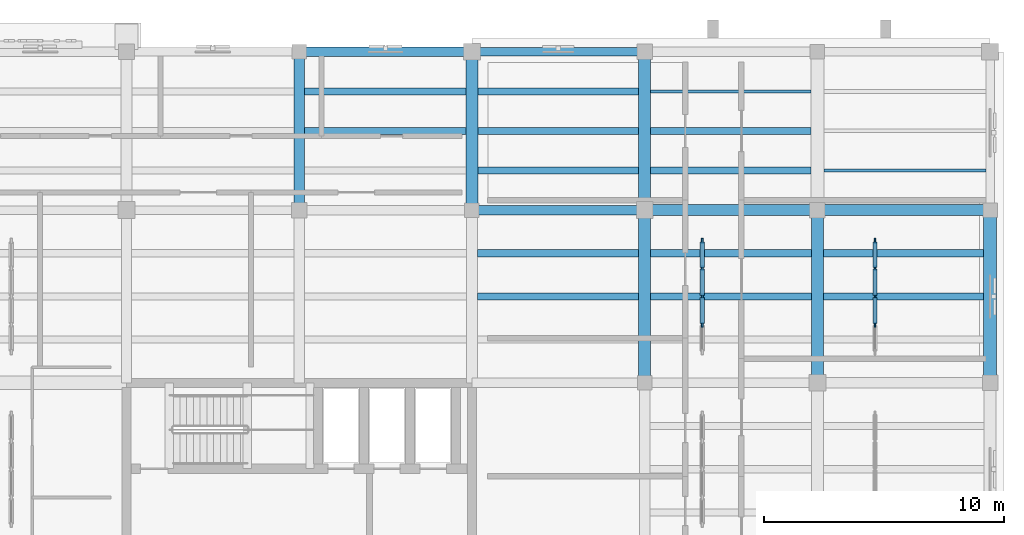
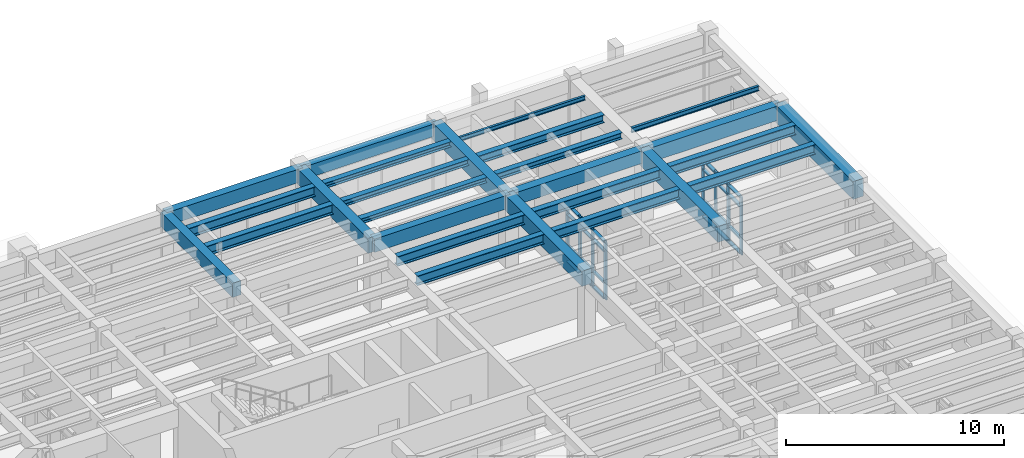
# One storey, part 22 of 66: 32 members, 26 beams, 2 elements without a shape of their own.
"""IFC4 building model written with IfcOpenShell, lengths in metres."""

from ifc_helpers import new_model, si_unit, direction, frame, origin, origin_2d, place, context, subcontext, project, spatial, rectangle, i_section, extrude, material, material_profile, profile_set, type_object, element, aggregate, save


model = new_model("IFC4")

# Units and contexts
model_context = context("Model", 3, precision=1e-05, world=origin(), true_north=direction((0.0, 1.0)))
body_context = subcontext(model_context, "Body", "Model", "MODEL_VIEW")
ifc_project = project(units=[si_unit("LENGTHUNIT", "METRE"), si_unit("AREAUNIT", "SQUARE_METRE"), si_unit("VOLUMEUNIT", "CUBIC_METRE"), si_unit("PLANEANGLEUNIT", "RADIAN"), si_unit("MASSUNIT", "GRAM", prefix="KILO")], contexts=[model_context])

# Site, building, storey
site_placement = place(None, origin())
site = spatial("IfcSite", under=ifc_project, at=site_placement, CompositionType="ELEMENT")
building_placement = place(site_placement, origin())
building = spatial("IfcBuilding", under=site, at=building_placement, Name="Mithqara Police Headquarters", CompositionType="ELEMENT")
storey_placement = place(building_placement, frame((0.0, 0.0, 9.60009765625)))
storey = spatial("IfcBuildingStorey", under=building, at=storey_placement, Name="L02", CompositionType="ELEMENT", Elevation=9.60009765625)

# Beams
ifc_material_1 = material(Name="Steel S355JR", Category="steel")
ifc_material_profile_1 = material_profile(ifc_material_1, i_section(OverallWidth=0.300048828125, OverallDepth=0.300048828125, WebThickness=0.010986328125, FlangeThickness=0.01904296875, FilletRadius=0.027099609375, at=origin_2d()), Name="HEB 300")
ifc_profile_set_1 = profile_set([ifc_material_profile_1], Name="Steel S355JR")
beam_type_1 = type_object("IfcBeamType", Name="BEAM HEB300", PredefinedType="BEAM", material=ifc_profile_set_1)
beam_1_placement = place(storey_placement, frame((144.85009765625, 112.35009765625, 3.789794921875), z_axis=(1.0, 0.0, 0.0), x_axis=(0.0, 1.0, 0.0)))
element("IfcBeam", 1, at=beam_1_placement, inside=storey, type_object=beam_type_1, Name="L02 Composite Steel Joist 21-22/R.3", PredefinedType="BEAM", context=body_context, shape_type="SweptSolid", body=[
    extrude(i_section(OverallWidth=0.300048828125, OverallDepth=0.300048828125, WebThickness=0.010986328125, FlangeThickness=0.01904296875, FilletRadius=0.027099609375, at=origin_2d()), origin(), (0.0, 0.0, 1.0), 6.699951171875),
])
ifc_material_profile_2 = material_profile(ifc_material_1, i_section(OverallWidth=0.300048828125, OverallDepth=0.360107421875, WebThickness=0.012451171875, FlangeThickness=0.0224609375, FilletRadius=0.027099609375, at=origin_2d()), Name="HEB 360")
ifc_profile_set_2 = profile_set([ifc_material_profile_2], Name="Steel S355JR")
beam_type_2 = type_object("IfcBeamType", Name="BEAM HEB360", PredefinedType="BEAM", material=ifc_profile_set_2)
beam_2_placement = place(storey_placement, frame((152.050048828125, 109.050048828125, 3.760009765625), z_axis=(1.0, 0.0, 0.0), x_axis=(0.0, 1.0, 0.0)))
element("IfcBeam", 2, at=beam_2_placement, inside=storey, type_object=beam_type_2, Name="L02 Composite Steel Joist 22-23/R.1", PredefinedType="BEAM", context=body_context, shape_type="SweptSolid", body=[
    extrude(i_section(OverallWidth=0.300048828125, OverallDepth=0.360107421875, WebThickness=0.012451171875, FlangeThickness=0.0224609375, FilletRadius=0.027099609375, at=origin_2d()), origin(), (0.0, 0.0, 1.0), 6.675048828125),
])
ifc_material_profile_3 = material_profile(ifc_material_1, i_section(OverallWidth=0.300048828125, OverallDepth=0.449951171875, WebThickness=0.013916015625, FlangeThickness=0.02587890625, FilletRadius=0.027099609375, at=origin_2d()), Name="HEB 450")
ifc_profile_set_3 = profile_set([ifc_material_profile_3], Name="Steel S355JR")
beam_type_3 = type_object("IfcBeamType", Name="BEAM HEB450", PredefinedType="BEAM", material=ifc_profile_set_3)
beam_3_placement = place(storey_placement, frame((152.050048828125, 110.699951171875, 3.71484375), z_axis=(1.0, 0.0, 0.0), x_axis=(0.0, 1.0, 0.0)))
element("IfcBeam", 3, at=beam_3_placement, inside=storey, type_object=beam_type_3, Name="L02 Composite Steel Joist 22-23/R.2", PredefinedType="BEAM", context=body_context, shape_type="SweptSolid", body=[
    extrude(i_section(OverallWidth=0.300048828125, OverallDepth=0.449951171875, WebThickness=0.013916015625, FlangeThickness=0.02587890625, FilletRadius=0.027099609375, at=origin_2d()), origin(), (0.0, 0.0, 1.0), 6.675048828125),
])
ifc_material_profile_4 = material_profile(ifc_material_1, i_section(OverallWidth=0.300048828125, OverallDepth=0.550048828125, WebThickness=0.014892578125, FlangeThickness=0.029052734375, FilletRadius=0.027099609375, at=origin_2d()), Name="HEB 550")
ifc_profile_set_4 = profile_set([ifc_material_profile_4], Name="Steel S355JR")
beam_type_4 = type_object("IfcBeamType", Name="BEAM HEB550", PredefinedType="BEAM", material=ifc_profile_set_4)
for number, where, z_axis, x_axis, name in (
    (4, (137.625, 110.699951171875, 3.664794921875), (1.0, 0.0, 0.0), (0.0, 1.0, 0.0), "L02 Composite Steel Joist 20-21/R.2"),
    (5, (137.625, 112.35009765625, 3.664794921875), (1.0, 0.0, 0.0), (0.0, 1.0, 0.0), "L02 Composite Steel Joist 20-21/R.3"),
    (6, (144.824951171875, 103.800048828125, 3.664794921875), (1.0, 0.0, 0.0), (0.0, 1.0, 0.0), "L02 Composite Steel Joist 21-22/Q.2"),
    (7, (144.824951171875, 105.60009765625, 3.664794921875), (1.0, 0.0, 0.0), (0.0, 1.0, 0.0), "L02 Composite Steel Joist 21-22/Q.3"),
):
    element("IfcBeam", number, at=place(storey_placement, frame(where, z_axis=z_axis, x_axis=x_axis)), inside=storey, type_object=beam_type_4, Name=name, PredefinedType="BEAM", context=body_context, shape_type="SweptSolid", body=[
        extrude(i_section(OverallWidth=0.300048828125, OverallDepth=0.550048828125, WebThickness=0.014892578125, FlangeThickness=0.029052734375, FilletRadius=0.027099609375, at=origin_2d()), origin(), (0.0, 0.0, 1.0), 6.72509765625),
    ])
for number, where, z_axis, x_axis, name in (
    (8, (152.050048828125, 103.800048828125, 3.664794921875), (1.0, 0.0, 0.0), (0.0, 1.0, 0.0), "L02 Composite Steel Joist 22-23/Q.2"),
    (9, (152.050048828125, 105.60009765625, 3.664794921875), (1.0, 0.0, 0.0), (0.0, 1.0, 0.0), "L02 Composite Steel Joist 22-23/Q.3"),
):
    element("IfcBeam", number, at=place(storey_placement, frame(where, z_axis=z_axis, x_axis=x_axis)), inside=storey, type_object=beam_type_4, Name=name, PredefinedType="BEAM", context=body_context, shape_type="SweptSolid", body=[
        extrude(i_section(OverallWidth=0.300048828125, OverallDepth=0.550048828125, WebThickness=0.014892578125, FlangeThickness=0.029052734375, FilletRadius=0.027099609375, at=origin_2d()), origin(), (0.0, 0.0, 1.0), 6.699951171875),
    ])
for number, where, z_axis, x_axis, name in (
    (10, (159.25, 103.800048828125, 3.664794921875), (1.0, 0.0, 0.0), (0.0, 1.0, 0.0), "L02 Composite Steel Joist 23-24/Q.2"),
    (11, (159.25, 105.60009765625, 3.664794921875), (1.0, 0.0, 0.0), (0.0, 1.0, 0.0), "L02 Composite Steel Joist 23-24/Q.3"),
):
    element("IfcBeam", number, at=place(storey_placement, frame(where, z_axis=z_axis, x_axis=x_axis)), inside=storey, type_object=beam_type_4, Name=name, PredefinedType="BEAM", context=body_context, shape_type="SweptSolid", body=[
        extrude(i_section(OverallWidth=0.300048828125, OverallDepth=0.550048828125, WebThickness=0.014892578125, FlangeThickness=0.029052734375, FilletRadius=0.027099609375, at=origin_2d()), origin(), (0.0, 0.0, 1.0), 6.675048828125),
    ])
ifc_material_2 = material(Name="Concrete C40/50", Category="concrete")
ifc_material_profile_5 = material_profile(ifc_material_2, rectangle(XDim=0.39990234375, YDim=0.75, at=origin_2d()), Name="RC 400x750")
ifc_profile_set_5 = profile_set([ifc_material_profile_5], Name="Concrete C40/50")
beam_type_5 = type_object("IfcBeamType", Name="BEAM RC400X750", PredefinedType="BEAM", material=ifc_profile_set_5)
beam_4_placement = place(storey_placement, frame((144.60009765625, 107.39990234375, 3.56494140625), z_axis=(1.0, 0.0, 0.0), x_axis=(0.0, 1.0, 0.0)))
element("IfcBeam", 12, at=beam_4_placement, inside=storey, type_object=beam_type_5, Name="L02 Girder 21-22/R", PredefinedType="BEAM", context=body_context, shape_type="SweptSolid", body=[
    extrude(rectangle(XDim=0.39990234375, YDim=0.75, at=origin_2d()), origin(), (0.0, 0.0, 1.0), 7.199951171875),
])
ifc_material_profile_6 = material_profile(ifc_material_2, rectangle(XDim=0.449951171875, YDim=0.699951171875, at=origin_2d()), Name="RC 450x700")
ifc_profile_set_6 = profile_set([ifc_material_profile_6], Name="Concrete C40/50")
beam_type_6 = type_object("IfcBeamType", Name="BEAM RC450X700", PredefinedType="BEAM", material=ifc_profile_set_6)
beam_5_placement = place(storey_placement, frame((151.800048828125, 107.39990234375, 3.58984375), z_axis=(1.0, 0.0, 0.0), x_axis=(0.0, 1.0, 0.0)))
element("IfcBeam", 13, at=beam_5_placement, inside=storey, type_object=beam_type_6, Name="L02 Girder 22-23/R", PredefinedType="BEAM", context=body_context, shape_type="SweptSolid", body=[
    extrude(rectangle(XDim=0.449951171875, YDim=0.699951171875, at=origin_2d()), origin(), (0.0, 0.0, 1.0), 7.199951171875),
])
ifc_material_profile_7 = material_profile(ifc_material_2, rectangle(XDim=0.449951171875, YDim=0.800048828125, at=origin_2d()), Name="RC 450x800")
ifc_profile_set_7 = profile_set([ifc_material_profile_7], Name="Concrete C40/50")
beam_type_7 = type_object("IfcBeamType", Name="BEAM RC450X800", PredefinedType="BEAM", material=ifc_profile_set_7)
beam_6_placement = place(storey_placement, frame((137.39990234375, 107.39990234375, 3.539794921875), z_axis=(0.0, 1.0, 0.0), x_axis=(-1.0, 0.0, 0.0)))
element("IfcBeam", 14, at=beam_6_placement, inside=storey, type_object=beam_type_7, Name="L02 Girder 20/R-S", PredefinedType="BEAM", context=body_context, shape_type="SweptSolid", body=[
    extrude(rectangle(XDim=0.449951171875, YDim=0.800048828125, at=origin_2d()), origin(), (0.0, 0.0, 1.0), 6.60009765625),
])
beam_7_placement = place(storey_placement, frame((159.0, 107.39990234375, 3.539794921875), z_axis=(1.0, 0.0, 0.0), x_axis=(0.0, 1.0, 0.0)))
element("IfcBeam", 15, at=beam_7_placement, inside=storey, type_object=beam_type_7, Name="L02 Girder 23-24/R", PredefinedType="BEAM", context=body_context, shape_type="SweptSolid", body=[
    extrude(rectangle(XDim=0.449951171875, YDim=0.800048828125, at=origin_2d()), origin(), (0.0, 0.0, 1.0), 7.199951171875),
])
ifc_material_profile_8 = material_profile(ifc_material_2, rectangle(XDim=0.5, YDim=0.85009765625, at=origin_2d()), Name="RC 500x850")
ifc_profile_set_8 = profile_set([ifc_material_profile_8], Name="Concrete C40/50")
beam_type_8 = type_object("IfcBeamType", Name="BEAM RC500X850", PredefinedType="BEAM", material=ifc_profile_set_8)
beam_8_placement = place(storey_placement, frame((144.60009765625, 107.39990234375, 3.514892578125), z_axis=(0.0, 1.0, 0.0), x_axis=(-1.0, 0.0, 0.0)))
element("IfcBeam", 16, at=beam_8_placement, inside=storey, type_object=beam_type_8, Name="L02 Girder 21/R-S", PredefinedType="BEAM", context=body_context, shape_type="SweptSolid", body=[
    extrude(rectangle(XDim=0.5, YDim=0.85009765625, at=origin_2d()), origin(), (0.0, 0.0, 1.0), 6.60009765625),
])
beam_9_placement = place(storey_placement, frame((151.800048828125, 100.199951171875, 3.514892578125), z_axis=(0.0, 1.0, 0.0), x_axis=(-1.0, 0.0, 0.0)))
element("IfcBeam", 17, at=beam_9_placement, inside=storey, type_object=beam_type_8, Name="L02 Girder 22/Q-R", PredefinedType="BEAM", context=body_context, shape_type="SweptSolid", body=[
    extrude(rectangle(XDim=0.5, YDim=0.85009765625, at=origin_2d()), origin(), (0.0, 0.0, 1.0), 7.199951171875),
])
ifc_material_3 = material(Name="Concrete C50/60", Category="concrete")
ifc_material_profile_9 = material_profile(ifc_material_3, rectangle(XDim=0.5, YDim=0.89990234375, at=origin_2d()), Name="RC 500x900")
ifc_profile_set_9 = profile_set([ifc_material_profile_9], Name="Concrete C50/60")
beam_type_9 = type_object("IfcBeamType", Name="BEAM RC500X900", PredefinedType="BEAM", material=ifc_profile_set_9)
beam_10_placement = place(storey_placement, frame((151.800048828125, 107.39990234375, 3.489990234375), z_axis=(0.0, 1.0, 0.0), x_axis=(-1.0, 0.0, 0.0)))
element("IfcBeam", 18, at=beam_10_placement, inside=storey, type_object=beam_type_9, Name="L02 Girder 22/R-S", PredefinedType="BEAM", context=body_context, shape_type="SweptSolid", body=[
    extrude(rectangle(XDim=0.5, YDim=0.89990234375, at=origin_2d()), origin(), (0.0, 0.0, 1.0), 6.60009765625),
])
beam_11_placement = place(storey_placement, frame((159.0, 100.199951171875, 3.489990234375), z_axis=(0.0, 1.0, 0.0), x_axis=(-1.0, 0.0, 0.0)))
element("IfcBeam", 19, at=beam_11_placement, inside=storey, type_object=beam_type_9, Name="L02 Girder 23/Q-R", PredefinedType="BEAM", context=body_context, shape_type="SweptSolid", body=[
    extrude(rectangle(XDim=0.5, YDim=0.89990234375, at=origin_2d()), origin(), (0.0, 0.0, 1.0), 7.199951171875),
])
ifc_material_profile_10 = material_profile(ifc_material_3, rectangle(XDim=0.550048828125, YDim=1.0, at=origin_2d()), Name="RC 550x1000")
ifc_profile_set_10 = profile_set([ifc_material_profile_10], Name="Concrete C50/60")
beam_type_10 = type_object("IfcBeamType", Name="BEAM RC550X1000", PredefinedType="BEAM", material=ifc_profile_set_10)
beam_12_placement = place(storey_placement, frame((166.199951171875, 100.199951171875, 3.43994140625), z_axis=(0.0, 1.0, 0.0), x_axis=(-1.0, 0.0, 0.0)))
element("IfcBeam", 20, at=beam_12_placement, inside=storey, type_object=beam_type_10, Name="L02 Girder 24/Q-R", PredefinedType="BEAM", context=body_context, shape_type="SweptSolid", body=[
    extrude(rectangle(XDim=0.550048828125, YDim=1.0, at=origin_2d()), origin(), (0.0, 0.0, 1.0), 7.199951171875),
])

# Curtain wall, members
ifc_material_4 = material(Name="Bronze anodised aluminium 6063-T6", Category="aluminium")
curtain_wall_type = type_object("IfcCurtainWallType", Name="CURTAIN WALL 4700X3220", PredefinedType="USERDEFINED", material=ifc_material_4)
curtain_wall_1_placement = place(storey_placement, origin())
curtain_wall_1 = element("IfcCurtainWall", 21, at=curtain_wall_1_placement, inside=storey, type_object=curtain_wall_type, Name="L02 Unitised Glazing CW-16 (CW-INT-L02-X21-Y14-0)", ObjectType="UNITISED GLAZING", PredefinedType="USERDEFINED")
ifc_material_profile_11 = material_profile(ifc_material_4, rectangle(XDim=0.074951171875, YDim=0.219970703125, at=origin_2d()), Name="CWM 75x220")
ifc_profile_set_11 = profile_set([ifc_material_profile_11], Name="Bronze anodised aluminium 6063-T6")
member_type_1 = type_object("IfcMemberType", Name="CWMULLION 75X220", PredefinedType="MULLION", material=ifc_profile_set_11)
member_1_placement = place(storey_placement, frame((154.199951171875, 102.625, 0.0), z_axis=(0.0, 0.0, 1.0), x_axis=(-1.0, 0.0, 0.0)))
member_1 = element("IfcMember", 22, at=member_1_placement, type_object=member_type_1, Name="CW-16 mullion 2", PredefinedType="MULLION", context=body_context, shape_type="SweptSolid", body=[
    extrude(rectangle(XDim=0.074951171875, YDim=0.219970703125, at=origin_2d()), origin(), (0.0, 0.0, 1.0), 3.219970703125),
])
member_2_placement = place(storey_placement, frame((154.199951171875, 103.800048828125, 0.0), z_axis=(0.0, 0.0, 1.0), x_axis=(-1.0, 0.0, 0.0)))
member_2 = element("IfcMember", 23, at=member_2_placement, type_object=member_type_1, Name="CW-16 mullion 3", PredefinedType="MULLION", context=body_context, shape_type="SweptSolid", body=[
    extrude(rectangle(XDim=0.074951171875, YDim=0.219970703125, at=origin_2d()), origin(), (0.0, 0.0, 1.0), 3.219970703125),
])
member_3_placement = place(storey_placement, frame((154.199951171875, 104.97509765625, 0.0), z_axis=(0.0, 0.0, 1.0), x_axis=(-1.0, 0.0, 0.0)))
member_3 = element("IfcMember", 24, at=member_3_placement, type_object=member_type_1, Name="CW-16 mullion 4", PredefinedType="MULLION", context=body_context, shape_type="SweptSolid", body=[
    extrude(rectangle(XDim=0.074951171875, YDim=0.219970703125, at=origin_2d()), origin(), (0.0, 0.0, 1.0), 3.219970703125),
])
member_4_placement = place(storey_placement, frame((154.199951171875, 106.112548828125, 0.0), z_axis=(0.0, 0.0, 1.0), x_axis=(-1.0, 0.0, 0.0)))
member_4 = element("IfcMember", 25, at=member_4_placement, type_object=member_type_1, Name="CW-16 mullion 5", PredefinedType="MULLION", context=body_context, shape_type="SweptSolid", body=[
    extrude(rectangle(XDim=0.074951171875, YDim=0.219970703125, at=origin_2d()), origin(), (0.0, 0.0, 1.0), 3.219970703125),
])

curtain_wall_2_placement = place(storey_placement, origin())
curtain_wall_2 = element("IfcCurtainWall", 26, at=curtain_wall_2_placement, inside=storey, type_object=curtain_wall_type, Name="L02 Unitised Glazing CW-16 (CW-INT-L02-X22-Y14-0)", ObjectType="UNITISED GLAZING", PredefinedType="USERDEFINED")
member_5_placement = place(storey_placement, frame((161.39990234375, 102.625, 0.0), z_axis=(0.0, 0.0, 1.0), x_axis=(-1.0, 0.0, 0.0)))
member_5 = element("IfcMember", 27, at=member_5_placement, type_object=member_type_1, Name="CW-16 mullion 2", PredefinedType="MULLION", context=body_context, shape_type="SweptSolid", body=[
    extrude(rectangle(XDim=0.074951171875, YDim=0.219970703125, at=origin_2d()), origin(), (0.0, 0.0, 1.0), 3.219970703125),
])
member_6_placement = place(storey_placement, frame((161.39990234375, 103.800048828125, 0.0), z_axis=(0.0, 0.0, 1.0), x_axis=(-1.0, 0.0, 0.0)))
member_6 = element("IfcMember", 28, at=member_6_placement, type_object=member_type_1, Name="CW-16 mullion 3", PredefinedType="MULLION", context=body_context, shape_type="SweptSolid", body=[
    extrude(rectangle(XDim=0.074951171875, YDim=0.219970703125, at=origin_2d()), origin(), (0.0, 0.0, 1.0), 3.219970703125),
])
member_7_placement = place(storey_placement, frame((161.39990234375, 104.97509765625, 0.0), z_axis=(0.0, 0.0, 1.0), x_axis=(-1.0, 0.0, 0.0)))
member_7 = element("IfcMember", 29, at=member_7_placement, type_object=member_type_1, Name="CW-16 mullion 4", PredefinedType="MULLION", context=body_context, shape_type="SweptSolid", body=[
    extrude(rectangle(XDim=0.074951171875, YDim=0.219970703125, at=origin_2d()), origin(), (0.0, 0.0, 1.0), 3.219970703125),
])
member_8_placement = place(storey_placement, frame((161.39990234375, 106.112548828125, 0.0), z_axis=(0.0, 0.0, 1.0), x_axis=(-1.0, 0.0, 0.0)))
member_8 = element("IfcMember", 30, at=member_8_placement, type_object=member_type_1, Name="CW-16 mullion 5", PredefinedType="MULLION", context=body_context, shape_type="SweptSolid", body=[
    extrude(rectangle(XDim=0.074951171875, YDim=0.219970703125, at=origin_2d()), origin(), (0.0, 0.0, 1.0), 3.219970703125),
])

# Member
ifc_material_profile_12 = material_profile(ifc_material_4, rectangle(XDim=0.179931640625, YDim=0.074951171875, at=origin_2d()), Name="CWT 180x75")
ifc_profile_set_12 = profile_set([ifc_material_profile_12], Name="Bronze anodised aluminium 6063-T6")
member_type_2 = type_object("IfcMemberType", Name="CWTRANSOM 180X75", PredefinedType="USERDEFINED", material=ifc_profile_set_12)
member_9_placement = place(storey_placement, frame((154.199951171875, 102.66259765625, 0.037353515625), z_axis=(0.0, 1.0, 0.0), x_axis=(-1.0, 0.0, 0.0)))
member_9 = element("IfcMember", 31, at=member_9_placement, type_object=member_type_2, Name="CW-16 transom 2.1", ObjectType="TRANSOM", PredefinedType="USERDEFINED", context=body_context, shape_type="SweptSolid", body=[
    extrude(rectangle(XDim=0.179931640625, YDim=0.074951171875, at=origin_2d()), origin(), (0.0, 0.0, 1.0), 1.099853515625),
])

member_10_placement = place(storey_placement, frame((154.199951171875, 102.66259765625, 0.89990234375), z_axis=(0.0, 1.0, 0.0), x_axis=(-1.0, 0.0, 0.0)))
member_10 = element("IfcMember", 32, at=member_10_placement, type_object=member_type_2, Name="CW-16 transom 2.2", ObjectType="TRANSOM", PredefinedType="USERDEFINED", context=body_context, shape_type="SweptSolid", body=[
    extrude(rectangle(XDim=0.179931640625, YDim=0.074951171875, at=origin_2d()), origin(), (0.0, 0.0, 1.0), 1.099853515625),
])

member_11_placement = place(storey_placement, frame((154.199951171875, 102.66259765625, 2.669921875), z_axis=(0.0, 1.0, 0.0), x_axis=(-1.0, 0.0, 0.0)))
member_11 = element("IfcMember", 33, at=member_11_placement, type_object=member_type_2, Name="CW-16 transom 2.3", ObjectType="TRANSOM", PredefinedType="USERDEFINED", context=body_context, shape_type="SweptSolid", body=[
    extrude(rectangle(XDim=0.179931640625, YDim=0.074951171875, at=origin_2d()), origin(), (0.0, 0.0, 1.0), 1.099853515625),
])

member_12_placement = place(storey_placement, frame((154.199951171875, 102.66259765625, 3.182373046875), z_axis=(0.0, 1.0, 0.0), x_axis=(-1.0, 0.0, 0.0)))
member_12 = element("IfcMember", 34, at=member_12_placement, type_object=member_type_2, Name="CW-16 transom 2.4", ObjectType="TRANSOM", PredefinedType="USERDEFINED", context=body_context, shape_type="SweptSolid", body=[
    extrude(rectangle(XDim=0.179931640625, YDim=0.074951171875, at=origin_2d()), origin(), (0.0, 0.0, 1.0), 1.099853515625),
])

member_13_placement = place(storey_placement, frame((154.199951171875, 103.83740234375, 0.037353515625), z_axis=(0.0, 1.0, 0.0), x_axis=(-1.0, 0.0, 0.0)))
member_13 = element("IfcMember", 35, at=member_13_placement, type_object=member_type_2, Name="CW-16 transom 3.1", ObjectType="TRANSOM", PredefinedType="USERDEFINED", context=body_context, shape_type="SweptSolid", body=[
    extrude(rectangle(XDim=0.179931640625, YDim=0.074951171875, at=origin_2d()), origin(), (0.0, 0.0, 1.0), 1.10009765625),
])

member_14_placement = place(storey_placement, frame((154.199951171875, 103.83740234375, 0.89990234375), z_axis=(0.0, 1.0, 0.0), x_axis=(-1.0, 0.0, 0.0)))
member_14 = element("IfcMember", 36, at=member_14_placement, type_object=member_type_2, Name="CW-16 transom 3.2", ObjectType="TRANSOM", PredefinedType="USERDEFINED", context=body_context, shape_type="SweptSolid", body=[
    extrude(rectangle(XDim=0.179931640625, YDim=0.074951171875, at=origin_2d()), origin(), (0.0, 0.0, 1.0), 1.10009765625),
])

member_15_placement = place(storey_placement, frame((154.199951171875, 103.83740234375, 2.669921875), z_axis=(0.0, 1.0, 0.0), x_axis=(-1.0, 0.0, 0.0)))
member_15 = element("IfcMember", 37, at=member_15_placement, type_object=member_type_2, Name="CW-16 transom 3.3", ObjectType="TRANSOM", PredefinedType="USERDEFINED", context=body_context, shape_type="SweptSolid", body=[
    extrude(rectangle(XDim=0.179931640625, YDim=0.074951171875, at=origin_2d()), origin(), (0.0, 0.0, 1.0), 1.10009765625),
])

member_16_placement = place(storey_placement, frame((154.199951171875, 103.83740234375, 3.182373046875), z_axis=(0.0, 1.0, 0.0), x_axis=(-1.0, 0.0, 0.0)))
member_16 = element("IfcMember", 38, at=member_16_placement, type_object=member_type_2, Name="CW-16 transom 3.4", ObjectType="TRANSOM", PredefinedType="USERDEFINED", context=body_context, shape_type="SweptSolid", body=[
    extrude(rectangle(XDim=0.179931640625, YDim=0.074951171875, at=origin_2d()), origin(), (0.0, 0.0, 1.0), 1.10009765625),
])

member_17_placement = place(storey_placement, frame((154.199951171875, 105.012451171875, 0.037353515625), z_axis=(0.0, 1.0, 0.0), x_axis=(-1.0, 0.0, 0.0)))
member_17 = element("IfcMember", 39, at=member_17_placement, type_object=member_type_2, Name="CW-16 transom 4.1", ObjectType="TRANSOM", PredefinedType="USERDEFINED", context=body_context, shape_type="SweptSolid", body=[
    extrude(rectangle(XDim=0.179931640625, YDim=0.074951171875, at=origin_2d()), origin(), (0.0, 0.0, 1.0), 1.0625),
])

member_18_placement = place(storey_placement, frame((154.199951171875, 105.012451171875, 0.89990234375), z_axis=(0.0, 1.0, 0.0), x_axis=(-1.0, 0.0, 0.0)))
member_18 = element("IfcMember", 40, at=member_18_placement, type_object=member_type_2, Name="CW-16 transom 4.2", ObjectType="TRANSOM", PredefinedType="USERDEFINED", context=body_context, shape_type="SweptSolid", body=[
    extrude(rectangle(XDim=0.179931640625, YDim=0.074951171875, at=origin_2d()), origin(), (0.0, 0.0, 1.0), 1.0625),
])

member_19_placement = place(storey_placement, frame((154.199951171875, 105.012451171875, 2.669921875), z_axis=(0.0, 1.0, 0.0), x_axis=(-1.0, 0.0, 0.0)))
member_19 = element("IfcMember", 41, at=member_19_placement, type_object=member_type_2, Name="CW-16 transom 4.3", ObjectType="TRANSOM", PredefinedType="USERDEFINED", context=body_context, shape_type="SweptSolid", body=[
    extrude(rectangle(XDim=0.179931640625, YDim=0.074951171875, at=origin_2d()), origin(), (0.0, 0.0, 1.0), 1.0625),
])

member_20_placement = place(storey_placement, frame((154.199951171875, 105.012451171875, 3.182373046875), z_axis=(0.0, 1.0, 0.0), x_axis=(-1.0, 0.0, 0.0)))
member_20 = element("IfcMember", 42, at=member_20_placement, type_object=member_type_2, Name="CW-16 transom 4.4", ObjectType="TRANSOM", PredefinedType="USERDEFINED", context=body_context, shape_type="SweptSolid", body=[
    extrude(rectangle(XDim=0.179931640625, YDim=0.074951171875, at=origin_2d()), origin(), (0.0, 0.0, 1.0), 1.0625),
])

aggregate(curtain_wall_1, [member_1, member_2, member_3, member_4, member_9, member_10, member_11, member_12, member_13, member_14, member_15, member_16, member_17, member_18, member_19, member_20])

member_21_placement = place(storey_placement, frame((161.39990234375, 102.66259765625, 0.037353515625), z_axis=(0.0, 1.0, 0.0), x_axis=(-1.0, 0.0, 0.0)))
member_21 = element("IfcMember", 43, at=member_21_placement, type_object=member_type_2, Name="CW-16 transom 2.1", ObjectType="TRANSOM", PredefinedType="USERDEFINED", context=body_context, shape_type="SweptSolid", body=[
    extrude(rectangle(XDim=0.179931640625, YDim=0.074951171875, at=origin_2d()), origin(), (0.0, 0.0, 1.0), 1.099853515625),
])

member_22_placement = place(storey_placement, frame((161.39990234375, 102.66259765625, 0.89990234375), z_axis=(0.0, 1.0, 0.0), x_axis=(-1.0, 0.0, 0.0)))
member_22 = element("IfcMember", 44, at=member_22_placement, type_object=member_type_2, Name="CW-16 transom 2.2", ObjectType="TRANSOM", PredefinedType="USERDEFINED", context=body_context, shape_type="SweptSolid", body=[
    extrude(rectangle(XDim=0.179931640625, YDim=0.074951171875, at=origin_2d()), origin(), (0.0, 0.0, 1.0), 1.099853515625),
])

member_23_placement = place(storey_placement, frame((161.39990234375, 102.66259765625, 2.669921875), z_axis=(0.0, 1.0, 0.0), x_axis=(-1.0, 0.0, 0.0)))
member_23 = element("IfcMember", 45, at=member_23_placement, type_object=member_type_2, Name="CW-16 transom 2.3", ObjectType="TRANSOM", PredefinedType="USERDEFINED", context=body_context, shape_type="SweptSolid", body=[
    extrude(rectangle(XDim=0.179931640625, YDim=0.074951171875, at=origin_2d()), origin(), (0.0, 0.0, 1.0), 1.099853515625),
])

member_24_placement = place(storey_placement, frame((161.39990234375, 102.66259765625, 3.182373046875), z_axis=(0.0, 1.0, 0.0), x_axis=(-1.0, 0.0, 0.0)))
member_24 = element("IfcMember", 46, at=member_24_placement, type_object=member_type_2, Name="CW-16 transom 2.4", ObjectType="TRANSOM", PredefinedType="USERDEFINED", context=body_context, shape_type="SweptSolid", body=[
    extrude(rectangle(XDim=0.179931640625, YDim=0.074951171875, at=origin_2d()), origin(), (0.0, 0.0, 1.0), 1.099853515625),
])

member_25_placement = place(storey_placement, frame((161.39990234375, 103.83740234375, 0.037353515625), z_axis=(0.0, 1.0, 0.0), x_axis=(-1.0, 0.0, 0.0)))
member_25 = element("IfcMember", 47, at=member_25_placement, type_object=member_type_2, Name="CW-16 transom 3.1", ObjectType="TRANSOM", PredefinedType="USERDEFINED", context=body_context, shape_type="SweptSolid", body=[
    extrude(rectangle(XDim=0.179931640625, YDim=0.074951171875, at=origin_2d()), origin(), (0.0, 0.0, 1.0), 1.10009765625),
])

member_26_placement = place(storey_placement, frame((161.39990234375, 103.83740234375, 0.89990234375), z_axis=(0.0, 1.0, 0.0), x_axis=(-1.0, 0.0, 0.0)))
member_26 = element("IfcMember", 48, at=member_26_placement, type_object=member_type_2, Name="CW-16 transom 3.2", ObjectType="TRANSOM", PredefinedType="USERDEFINED", context=body_context, shape_type="SweptSolid", body=[
    extrude(rectangle(XDim=0.179931640625, YDim=0.074951171875, at=origin_2d()), origin(), (0.0, 0.0, 1.0), 1.10009765625),
])

member_27_placement = place(storey_placement, frame((161.39990234375, 103.83740234375, 2.669921875), z_axis=(0.0, 1.0, 0.0), x_axis=(-1.0, 0.0, 0.0)))
member_27 = element("IfcMember", 49, at=member_27_placement, type_object=member_type_2, Name="CW-16 transom 3.3", ObjectType="TRANSOM", PredefinedType="USERDEFINED", context=body_context, shape_type="SweptSolid", body=[
    extrude(rectangle(XDim=0.179931640625, YDim=0.074951171875, at=origin_2d()), origin(), (0.0, 0.0, 1.0), 1.10009765625),
])

member_28_placement = place(storey_placement, frame((161.39990234375, 103.83740234375, 3.182373046875), z_axis=(0.0, 1.0, 0.0), x_axis=(-1.0, 0.0, 0.0)))
member_28 = element("IfcMember", 50, at=member_28_placement, type_object=member_type_2, Name="CW-16 transom 3.4", ObjectType="TRANSOM", PredefinedType="USERDEFINED", context=body_context, shape_type="SweptSolid", body=[
    extrude(rectangle(XDim=0.179931640625, YDim=0.074951171875, at=origin_2d()), origin(), (0.0, 0.0, 1.0), 1.10009765625),
])

member_29_placement = place(storey_placement, frame((161.39990234375, 105.012451171875, 0.037353515625), z_axis=(0.0, 1.0, 0.0), x_axis=(-1.0, 0.0, 0.0)))
member_29 = element("IfcMember", 51, at=member_29_placement, type_object=member_type_2, Name="CW-16 transom 4.1", ObjectType="TRANSOM", PredefinedType="USERDEFINED", context=body_context, shape_type="SweptSolid", body=[
    extrude(rectangle(XDim=0.179931640625, YDim=0.074951171875, at=origin_2d()), origin(), (0.0, 0.0, 1.0), 1.0625),
])

member_30_placement = place(storey_placement, frame((161.39990234375, 105.012451171875, 0.89990234375), z_axis=(0.0, 1.0, 0.0), x_axis=(-1.0, 0.0, 0.0)))
member_30 = element("IfcMember", 52, at=member_30_placement, type_object=member_type_2, Name="CW-16 transom 4.2", ObjectType="TRANSOM", PredefinedType="USERDEFINED", context=body_context, shape_type="SweptSolid", body=[
    extrude(rectangle(XDim=0.179931640625, YDim=0.074951171875, at=origin_2d()), origin(), (0.0, 0.0, 1.0), 1.0625),
])

member_31_placement = place(storey_placement, frame((161.39990234375, 105.012451171875, 2.669921875), z_axis=(0.0, 1.0, 0.0), x_axis=(-1.0, 0.0, 0.0)))
member_31 = element("IfcMember", 53, at=member_31_placement, type_object=member_type_2, Name="CW-16 transom 4.3", ObjectType="TRANSOM", PredefinedType="USERDEFINED", context=body_context, shape_type="SweptSolid", body=[
    extrude(rectangle(XDim=0.179931640625, YDim=0.074951171875, at=origin_2d()), origin(), (0.0, 0.0, 1.0), 1.0625),
])

member_32_placement = place(storey_placement, frame((161.39990234375, 105.012451171875, 3.182373046875), z_axis=(0.0, 1.0, 0.0), x_axis=(-1.0, 0.0, 0.0)))
member_32 = element("IfcMember", 54, at=member_32_placement, type_object=member_type_2, Name="CW-16 transom 4.4", ObjectType="TRANSOM", PredefinedType="USERDEFINED", context=body_context, shape_type="SweptSolid", body=[
    extrude(rectangle(XDim=0.179931640625, YDim=0.074951171875, at=origin_2d()), origin(), (0.0, 0.0, 1.0), 1.0625),
])

aggregate(curtain_wall_2, [member_5, member_6, member_7, member_8, member_21, member_22, member_23, member_24, member_25, member_26, member_27, member_28, member_29, member_30, member_31, member_32])

# Beams
ifc_material_profile_13 = material_profile(ifc_material_1, i_section(OverallWidth=0.300048828125, OverallDepth=0.2900390625, WebThickness=0.008544921875, FlangeThickness=0.013916015625, FilletRadius=0.027099609375, at=origin_2d()), Name="HEA 300")
ifc_profile_set_13 = profile_set([ifc_material_profile_13], Name="Steel S355JR")
beam_type_11 = type_object("IfcBeamType", Name="JOIST HEA300", PredefinedType="JOIST", material=ifc_profile_set_13)
beam_13_placement = place(storey_placement, frame((144.85009765625, 109.050048828125, 3.794921875), z_axis=(1.0, 0.0, 0.0), x_axis=(0.0, 1.0, 0.0)))
element("IfcBeam", 55, at=beam_13_placement, inside=storey, type_object=beam_type_11, Name="L02 Composite Steel Joist 21-22/R.1", PredefinedType="JOIST", context=body_context, shape_type="SweptSolid", body=[
    extrude(i_section(OverallWidth=0.300048828125, OverallDepth=0.2900390625, WebThickness=0.008544921875, FlangeThickness=0.013916015625, FilletRadius=0.027099609375, at=origin_2d()), origin(), (0.0, 0.0, 1.0), 6.699951171875),
])
ifc_material_profile_14 = material_profile(ifc_material_1, i_section(OverallWidth=0.300048828125, OverallDepth=0.330078125, WebThickness=0.009521484375, FlangeThickness=0.0166015625, FilletRadius=0.027099609375, at=origin_2d()), Name="HEA 340")
ifc_profile_set_14 = profile_set([ifc_material_profile_14], Name="Steel S355JR")
beam_type_12 = type_object("IfcBeamType", Name="JOIST HEA340", PredefinedType="JOIST", material=ifc_profile_set_14)
beam_14_placement = place(storey_placement, frame((144.85009765625, 110.699951171875, 3.77490234375), z_axis=(1.0, 0.0, 0.0), x_axis=(0.0, 1.0, 0.0)))
element("IfcBeam", 56, at=beam_14_placement, inside=storey, type_object=beam_type_12, Name="L02 Composite Steel Joist 21-22/R.2", PredefinedType="JOIST", context=body_context, shape_type="SweptSolid", body=[
    extrude(i_section(OverallWidth=0.300048828125, OverallDepth=0.330078125, WebThickness=0.009521484375, FlangeThickness=0.0166015625, FilletRadius=0.027099609375, at=origin_2d()), origin(), (0.0, 0.0, 1.0), 6.699951171875),
])
ifc_material_profile_15 = material_profile(ifc_material_1, i_section(OverallWidth=0.1201171875, OverallDepth=0.239990234375, WebThickness=0.006103515625, FlangeThickness=0.009765625, FilletRadius=0.014892578125, at=origin_2d()), Name="IPE 240")
ifc_profile_set_15 = profile_set([ifc_material_profile_15], Name="Steel S355JR")
beam_type_13 = type_object("IfcBeamType", Name="JOIST IPE240", PredefinedType="JOIST", material=ifc_profile_set_15)
beam_15_placement = place(storey_placement, frame((152.050048828125, 112.35009765625, 3.81982421875), z_axis=(1.0, 0.0, 0.0), x_axis=(0.0, 1.0, 0.0)))
element("IfcBeam", 57, at=beam_15_placement, inside=storey, type_object=beam_type_13, Name="L02 Composite Steel Joist 22-23/R.3", PredefinedType="JOIST", context=body_context, shape_type="SweptSolid", body=[
    extrude(i_section(OverallWidth=0.1201171875, OverallDepth=0.239990234375, WebThickness=0.006103515625, FlangeThickness=0.009765625, FilletRadius=0.014892578125, at=origin_2d()), origin(), (0.0, 0.0, 1.0), 6.675048828125),
])
ifc_material_profile_16 = material_profile(ifc_material_1, i_section(OverallWidth=0.135009765625, OverallDepth=0.27001953125, WebThickness=0.006591796875, FlangeThickness=0.01025390625, FilletRadius=0.014892578125, at=origin_2d()), Name="IPE 270")
ifc_profile_set_16 = profile_set([ifc_material_profile_16], Name="Steel S355JR")
beam_type_14 = type_object("IfcBeamType", Name="JOIST IPE270", PredefinedType="JOIST", material=ifc_profile_set_16)
beam_16_placement = place(storey_placement, frame((159.27490234375, 109.050048828125, 3.804931640625), z_axis=(1.0, 0.0, 0.0), x_axis=(0.0, 1.0, 0.0)))
element("IfcBeam", 58, at=beam_16_placement, inside=storey, type_object=beam_type_14, Name="L02 Composite Steel Joist 23-24/R.1", PredefinedType="JOIST", context=body_context, shape_type="SweptSolid", body=[
    extrude(i_section(OverallWidth=0.135009765625, OverallDepth=0.27001953125, WebThickness=0.006591796875, FlangeThickness=0.01025390625, FilletRadius=0.014892578125, at=origin_2d()), origin(), (0.0, 0.0, 1.0), 6.75),
])
ifc_material_profile_17 = material_profile(ifc_material_2, rectangle(XDim=0.35009765625, YDim=0.699951171875, at=origin_2d()), Name="SPB 350x700")
ifc_profile_set_17 = profile_set([ifc_material_profile_17], Name="Concrete C40/50")
beam_type_15 = type_object("IfcBeamType", Name="SPANDREL 350X700", PredefinedType="SPANDREL", material=ifc_profile_set_17)
beam_17_placement = place(storey_placement, frame((144.60009765625, 114.0, 3.58984375), z_axis=(1.0, 0.0, 0.0), x_axis=(0.0, 1.0, 0.0)))
element("IfcBeam", 59, at=beam_17_placement, inside=storey, type_object=beam_type_15, Name="L02 Girder 21-22/S", PredefinedType="SPANDREL", context=body_context, shape_type="SweptSolid", body=[
    extrude(rectangle(XDim=0.35009765625, YDim=0.699951171875, at=origin_2d()), origin(), (0.0, 0.0, 1.0), 7.199951171875),
])
ifc_material_profile_18 = material_profile(ifc_material_2, rectangle(XDim=0.39990234375, YDim=0.75, at=origin_2d()), Name="SPB 400x750")
ifc_profile_set_18 = profile_set([ifc_material_profile_18], Name="Concrete C40/50")
beam_type_16 = type_object("IfcBeamType", Name="SPANDREL 400X750", PredefinedType="SPANDREL", material=ifc_profile_set_18)
beam_18_placement = place(storey_placement, frame((137.39990234375, 114.0, 3.56494140625), z_axis=(1.0, 0.0, 0.0), x_axis=(0.0, 1.0, 0.0)))
element("IfcBeam", 60, at=beam_18_placement, inside=storey, type_object=beam_type_16, Name="L02 Girder 20-21/S", PredefinedType="SPANDREL", context=body_context, shape_type="SweptSolid", body=[
    extrude(rectangle(XDim=0.39990234375, YDim=0.75, at=origin_2d()), origin(), (0.0, 0.0, 1.0), 7.2001953125),
])

save(model, "model.ifc")
